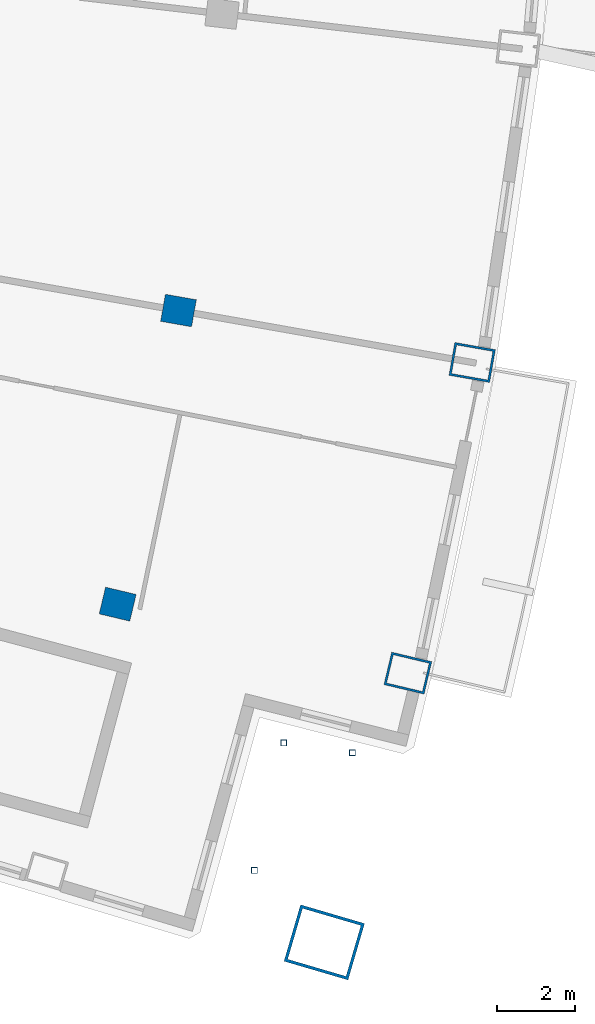
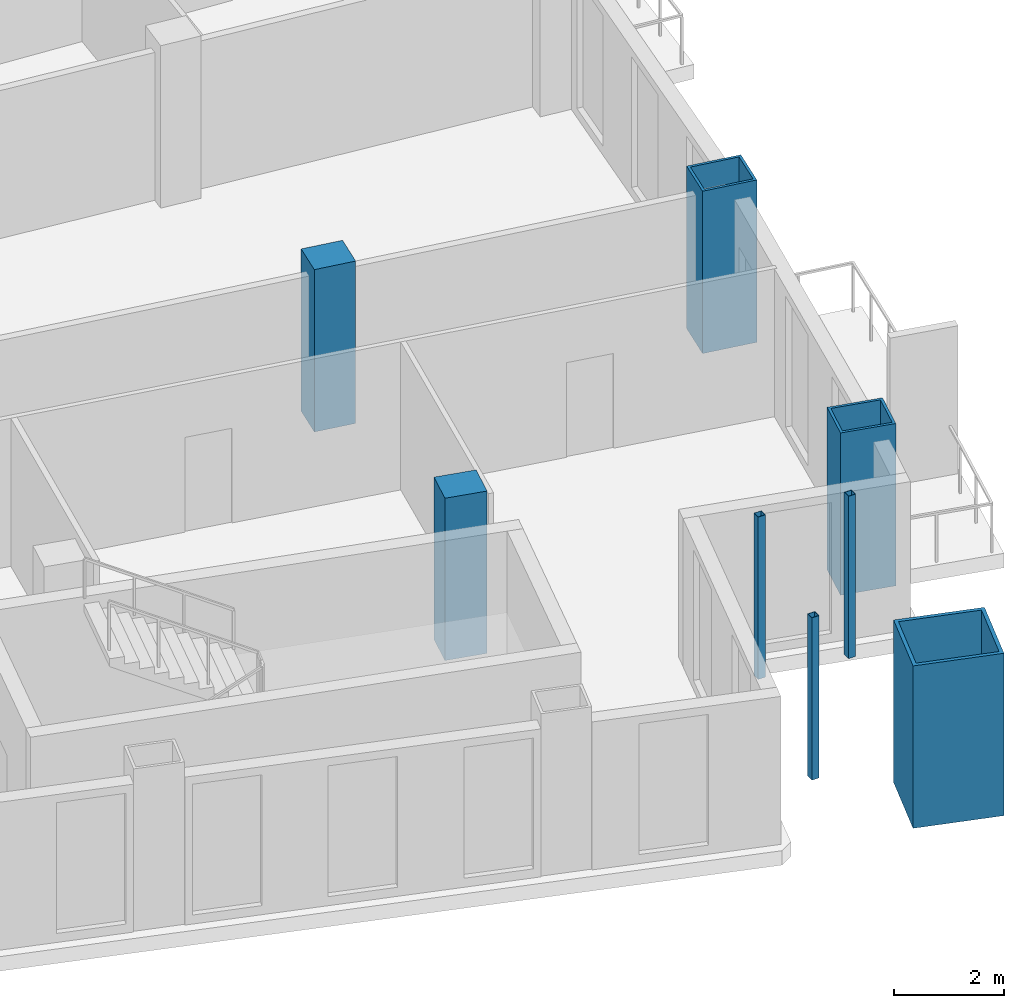
# One storey, part 3 of 19: 8 columns.
"""IFC4 building model written with IfcOpenShell, lengths in metres."""

import ifcopenshell
import ifcopenshell.guid

model = None  # the IFC model being written
_history = None  # IfcOwnerHistory: only IFC2X3 demands one
_inside = {}  # id of a spatial element -> (the spatial element, [elements in it])
_under = {}  # id of a project, library or spatial element -> (it, [spatial elements below it])
_declared = {}  # id of a project -> (the project, [libraries it declares])
_typed = {}  # id of a type object -> (the type object, [elements of that type])
_made_of = {}  # id of a material, layer set ... -> (it, [elements and type objects made of it])


def new_model(schema):
    """Start an empty IFC model of exactly this schema.

    Asked for "IFC4X3", IfcOpenShell would pick the latest addendum, in which some entities
    have other attributes; the version numbers below select the first issue.
    IFC2X3 requires an IfcOwnerHistory on every rooted entity: one is made here for all.
    """
    global model, _history
    if schema == "IFC4X3":
        model = ifcopenshell.file(schema_version=(4, 3, 0, 0))
    else:
        model = ifcopenshell.file(schema=schema)
    _inside.clear()
    _under.clear()
    _declared.clear()
    _typed.clear()
    _made_of.clear()
    _history = None
    if model.schema == "IFC2X3":
        org = make("IfcOrganization", Name="unknown")
        user = make(
            "IfcPersonAndOrganization",
            ThePerson=make("IfcPerson", FamilyName="unknown"),
            TheOrganization=org,
        )
        app = make(
            "IfcApplication",
            ApplicationDeveloper=org,
            Version="unknown",
            ApplicationFullName="unknown",
            ApplicationIdentifier="unknown",
        )
        _history = make(
            "IfcOwnerHistory",
            OwningUser=user,
            OwningApplication=app,
            ChangeAction="ADDED",
            CreationDate=0,
        )
    return model


def make(cls, **values):
    """One entity of the class cls with the attributes given. An attribute that is None is left unset."""
    return model.create_entity(
        cls, **{name: value for name, value in values.items() if value is not None}
    )


def rooted(cls, **values):
    """An entity with a GlobalId (a new one), such as an element, a storey or a relation."""
    return make(cls, GlobalId=ifcopenshell.guid.new(), OwnerHistory=_history, **values)


def si_unit(unit_type, name, prefix=None):
    """IfcSIUnit, for example si_unit("LENGTHUNIT", "METRE", prefix="MILLI")."""
    return make("IfcSIUnit", UnitType=unit_type, Prefix=prefix, Name=name)


def assignment(units):
    """IfcUnitAssignment: the units of a project."""
    return None if units is None else make("IfcUnitAssignment", Units=units)


def point(xyz):
    """IfcCartesianPoint."""
    return None if xyz is None else make("IfcCartesianPoint", Coordinates=xyz)


def direction(xyz):
    """IfcDirection."""
    return None if xyz is None else make("IfcDirection", DirectionRatios=xyz)


def frame(location, z_axis=None, x_axis=None):
    """IfcAxis2Placement3D, a coordinate frame: its origin and axes. An axis left out is left unset."""
    return make(
        "IfcAxis2Placement3D",
        Location=point(location),
        Axis=direction(z_axis),
        RefDirection=direction(x_axis),
    )


def frame_2d(location, x_axis=None):
    """IfcAxis2Placement2D, a coordinate frame in the plane: its origin and x axis."""
    return make(
        "IfcAxis2Placement2D", Location=point(location), RefDirection=direction(x_axis)
    )


def origin():
    """The frame at (0, 0, 0) with its axes left unset."""
    return frame((0.0, 0.0, 0.0))


def origin_2d():
    """The frame at (0, 0) in the plane with its x axis left unset."""
    return frame_2d((0.0, 0.0))


def place(relative_to, where):
    """IfcLocalPlacement: puts the frame where relative to a parent placement (None: the world)."""
    return make(
        "IfcLocalPlacement", PlacementRelTo=relative_to, RelativePlacement=where
    )


def context(
    kind, dimensions, precision=None, world=None, true_north=None, identifier=None
):
    """IfcGeometricRepresentationContext, for example the 3D "Model" context."""
    return make(
        "IfcGeometricRepresentationContext",
        ContextIdentifier=identifier,
        ContextType=kind,
        CoordinateSpaceDimension=dimensions,
        Precision=precision,
        WorldCoordinateSystem=world,
        TrueNorth=true_north,
    )


def subcontext(parent, identifier, kind, view, scale=None):
    """IfcGeometricRepresentationSubContext, for example "Body" below "Model"."""
    return make(
        "IfcGeometricRepresentationSubContext",
        ContextIdentifier=identifier,
        ContextType=kind,
        ParentContext=parent,
        TargetScale=scale,
        TargetView=view,
    )


def project(units=None, contexts=None):
    """IfcProject with its units and contexts."""
    return rooted(
        "IfcProject",
        Name="project",
        RepresentationContexts=contexts,
        UnitsInContext=assignment(units),
    )


def spatial(cls, under=None, at=None, **own):
    """A site, building, storey or space (cls), placed at a placement, below another one or the project."""
    s = rooted(cls, ObjectPlacement=at, **own)
    if under is not None:
        _under.setdefault(under.id(), (under, []))[1].append(s)
    return s


def profile(cls, at=None, kind="AREA", **sizes):
    """A parametric profile (cls). Its sizes go by their IFC names, for example OverallWidth=200.0."""
    return make(cls, ProfileType=kind, Position=at, **sizes)


def rectangle(**sizes):
    """IfcRectangleProfileDef."""
    return profile("IfcRectangleProfileDef", **sizes)


def hollow_rectangle(**sizes):
    """IfcRectangleHollowProfileDef."""
    return profile("IfcRectangleHollowProfileDef", **sizes)


def extrude(swept, where, along, depth):
    """IfcExtrudedAreaSolid: the profile swept, set in the frame where, extruded along a direction by depth."""
    return make(
        "IfcExtrudedAreaSolid",
        SweptArea=swept,
        Position=where,
        ExtrudedDirection=direction(along),
        Depth=depth,
    )


def shape(context_of_items, identifier, shape_type, items):
    """IfcShapeRepresentation: the items that make up one representation, for example the "Body"."""
    return make(
        "IfcShapeRepresentation",
        ContextOfItems=context_of_items,
        RepresentationIdentifier=identifier,
        RepresentationType=shape_type,
        Items=items,
    )


def material(Name=None, Category=None):
    """IfcMaterial."""
    return make("IfcMaterial", Name=Name, Category=Category)


def material_profile(
    of_material, cross_section, Name=None, Category=None, Priority=None
):
    """IfcMaterialProfile: a cross section and its material."""
    return make(
        "IfcMaterialProfile",
        Name=Name,
        Material=of_material,
        Profile=cross_section,
        Priority=Priority,
        Category=Category,
    )


def profile_set(profiles, Name=None, composite=None):
    """IfcMaterialProfileSet."""
    return make(
        "IfcMaterialProfileSet",
        Name=Name,
        MaterialProfiles=profiles,
        CompositeProfile=composite,
    )


def made_of(thing, what):
    """Note that an element or type object is made of a material, layer set ...; save() writes the relation."""
    if what is not None:
        _made_of.setdefault(what.id(), (what, []))[1].append(thing)
    return thing


def type_object(cls, material=None, **own):
    """A type object (cls), such as IfcWallType, which elements share."""
    return made_of(rooted(cls, **own), material)


def element(
    cls,
    number,
    at=None,
    inside=None,
    cuts=None,
    type_object=None,
    material=None,
    context=None,
    identifier="Body",
    shape_type=None,
    held_by="IfcProductDefinitionShape",
    body=None,
    shapes=None,
    **own,
):
    """One element of the class cls, such as IfcWall. Its Tag is "e" and its number.

    at: its placement. inside: the storey or other place that contains it. cuts: it is an
    opening in that element (IfcRelVoidsElement). A single representation is given by context,
    identifier, shape_type and body (its items); several are given by shapes. held_by: the class
    of the entity that holds the representations. save() writes the other relations.
    """
    e = rooted(cls, Tag="e%d" % number, ObjectPlacement=at, **own)
    if body is not None:
        shapes = [shape(context, identifier, shape_type, body)]
    if shapes is not None:
        e.Representation = make(held_by, Representations=shapes)
    if inside is not None:
        _inside.setdefault(inside.id(), (inside, []))[1].append(e)
    if cuts is not None:
        rooted(
            "IfcRelVoidsElement", RelatingBuildingElement=cuts, RelatedOpeningElement=e
        )
    if type_object is not None:
        _typed.setdefault(type_object.id(), (type_object, []))[1].append(e)
    return made_of(e, material)


def aggregate(whole, parts):
    """IfcRelAggregates: a whole, such as a stair, and the parts it consists of."""
    return rooted("IfcRelAggregates", RelatingObject=whole, RelatedObjects=parts)


def save(model, path):
    """Write the relations noted so far, then the file.

    IfcRelAggregates (storeys below a building ...), IfcRelContainedInSpatialStructure (elements
    in a storey), IfcRelDefinesByType, IfcRelAssociatesMaterial and IfcRelDeclares: one each for
    every whole, place, type object, material and project.
    """
    for whole, parts in _under.values():
        aggregate(whole, parts)
    for where, things in _inside.values():
        rooted(
            "IfcRelContainedInSpatialStructure",
            RelatedElements=things,
            RelatingStructure=where,
        )
    for kind, things in _typed.values():
        rooted("IfcRelDefinesByType", RelatedObjects=things, RelatingType=kind)
    for what, things in _made_of.values():
        rooted("IfcRelAssociatesMaterial", RelatedObjects=things, RelatingMaterial=what)
    for by, libraries in _declared.values():
        rooted("IfcRelDeclares", RelatingContext=by, RelatedDefinitions=libraries)
    model.write(path)


model = new_model("IFC4")

# Units and contexts
model_context = context("Model", 3, precision=1e-05, world=origin(), true_north=direction((0.0, 1.0)))
body_context = subcontext(model_context, "Body", "Model", "MODEL_VIEW")
ifc_project = project(units=[si_unit("LENGTHUNIT", "METRE"), si_unit("AREAUNIT", "SQUARE_METRE"), si_unit("VOLUMEUNIT", "CUBIC_METRE"), si_unit("PLANEANGLEUNIT", "RADIAN"), si_unit("MASSUNIT", "GRAM", prefix="KILO")], contexts=[model_context])

# Site, building, storey
site_placement = place(None, origin())
site = spatial("IfcSite", under=ifc_project, at=site_placement, CompositionType="ELEMENT")
building_placement = place(site_placement, origin())
building = spatial("IfcBuilding", under=site, at=building_placement, Name="Alderwake Tower", CompositionType="ELEMENT")
storey_placement = place(building_placement, frame((0.0, 0.0, 192.800048828125)))
storey = spatial("IfcBuildingStorey", under=building, at=storey_placement, Name="L47", CompositionType="ELEMENT", Elevation=192.800048828125)

# Columns
ifc_material_1 = material(Name="Concrete C70/85", Category="concrete")
ifc_material_profile_1 = material_profile(ifc_material_1, rectangle(XDim=0.699951171875, YDim=0.800048828125, at=origin_2d()), Name="RC 800X700")
ifc_profile_set_1 = profile_set([ifc_material_profile_1], Name="Concrete C70/85")
column_type_1 = type_object("IfcColumnType", Name="Interior column Z4", PredefinedType="COLUMN", material=ifc_profile_set_1)
for number, where, z_axis, x_axis, name in (
    (1, (47.449951171875, 30.7099609375, 0.0), (0.0, 0.0, 1.0), (0.231221547198, 0.972901123502, 0.0), "Column R03-C4"),
    (2, (48.999267578125, 38.19189453125, 0.0), (0.0, 0.0, 1.0), (0.174108800747, 0.984726421654, 0.0), "Column R04-C4"),
):
    element("IfcColumn", number, at=place(storey_placement, frame(where, z_axis=z_axis, x_axis=x_axis)), inside=storey, type_object=column_type_1, Name=name, PredefinedType="COLUMN", context=body_context, shape_type="SweptSolid", body=[
        extrude(rectangle(XDim=0.699951171875, YDim=0.800048828125, at=origin_2d()), origin(), (0.0, 0.0, 1.0), 3.599853515625),
    ])
ifc_material_2 = material(Name="Steel ASTM A500 Grade C", Category="steel")
ifc_material_profile_2 = material_profile(ifc_material_2, hollow_rectangle(XDim=0.15234375, YDim=0.15234375, WallThickness=0.0087890625, at=origin_2d()), Name="HSS6X6X3/8")
ifc_profile_set_2 = profile_set([ifc_material_profile_2], Name="Steel ASTM A500 Grade C")
column_type_2 = type_object("IfcColumnType", Name="Light post HSS6X6X3/8", PredefinedType="COLUMN", material=ifc_profile_set_2)
for number, where, z_axis, x_axis, name in (
    (3, (53.4326171875, 26.925537109375, 0.0), (0.0, 0.0, 1.0), (1.0, 0.0, 0.0), "Terrace post FS1"),
    (4, (50.9326171875, 23.925537109375, 0.0), (0.0, 0.0, 1.0), (1.0, 0.0, 0.0), "Terrace post FS2"),
    (5, (51.6826171875, 27.175537109375, 0.0), (0.0, 0.0, 1.0), (1.0, 0.0, 0.0), "Terrace post FS3"),
):
    element("IfcColumn", number, at=place(storey_placement, frame(where, z_axis=z_axis, x_axis=x_axis)), inside=storey, type_object=column_type_2, Name=name, PredefinedType="COLUMN", context=body_context, shape_type="SweptSolid", body=[
        extrude(hollow_rectangle(XDim=0.15234375, YDim=0.15234375, WallThickness=0.0087890625, at=origin_2d()), origin(), (0.0, 0.0, 1.0), 3.599853515625),
    ])
ifc_material_3 = material(Name="Steel ASTM A572 Grade 50 concrete filled C70/85", Category="concrete")
ifc_material_profile_3 = material_profile(ifc_material_3, hollow_rectangle(XDim=1.5, YDim=1.699951171875, WallThickness=0.074951171875, at=origin_2d()), Name="BOX 1700X1500X75")
ifc_profile_set_3 = profile_set([ifc_material_profile_3], Name="Steel ASTM A572 Grade 50 concrete filled C70/85")
column_type_3 = type_object("IfcColumnType", Name="Mega column Z4", PredefinedType="COLUMN", material=ifc_profile_set_3)
column_placement = place(storey_placement, frame((52.714599609375, 22.093017578125, 0.0), z_axis=(0.0, 0.0, 1.0), x_axis=(0.281323312272, 0.959613043874, 0.0)))
element("IfcColumn", 6, at=column_placement, inside=storey, type_object=column_type_3, Name="Column R02-C5", PredefinedType="COLUMN", context=body_context, shape_type="SweptSolid", body=[
    extrude(hollow_rectangle(XDim=1.5, YDim=1.699951171875, WallThickness=0.074951171875, at=origin_2d()), origin(), (0.0, 0.0, 1.0), 3.599853515625),
])
ifc_material_4 = material(Name="Steel ASTM A572 Grade 50 concrete filled C70/85", Category="concrete")
ifc_material_profile_4 = material_profile(ifc_material_4, hollow_rectangle(XDim=0.85009765625, YDim=1.050048828125, WallThickness=0.054931640625, at=origin_2d()), Name="BOX 1050X850X55")
ifc_profile_set_4 = profile_set([ifc_material_profile_4], Name="Steel ASTM A572 Grade 50 concrete filled C70/85")
column_type_4 = type_object("IfcColumnType", Name="Perimeter column Z4", PredefinedType="COLUMN", material=ifc_profile_set_4)
for number, where, z_axis, x_axis, name in (
    (7, (54.843994140625, 28.95263671875, 0.0), (0.0, 0.0, 1.0), (0.231221547198, 0.972901123502, 0.0), "Column R03-C5"),
    (8, (56.483154296875, 36.86865234375, 0.0), (0.0, 0.0, 1.0), (0.174108800747, 0.984726421654, 0.0), "Column R04-C5"),
):
    element("IfcColumn", number, at=place(storey_placement, frame(where, z_axis=z_axis, x_axis=x_axis)), inside=storey, type_object=column_type_4, Name=name, PredefinedType="COLUMN", context=body_context, shape_type="SweptSolid", body=[
        extrude(hollow_rectangle(XDim=0.85009765625, YDim=1.050048828125, WallThickness=0.054931640625, at=origin_2d()), origin(), (0.0, 0.0, 1.0), 3.599853515625),
    ])

save(model, "model.ifc")
